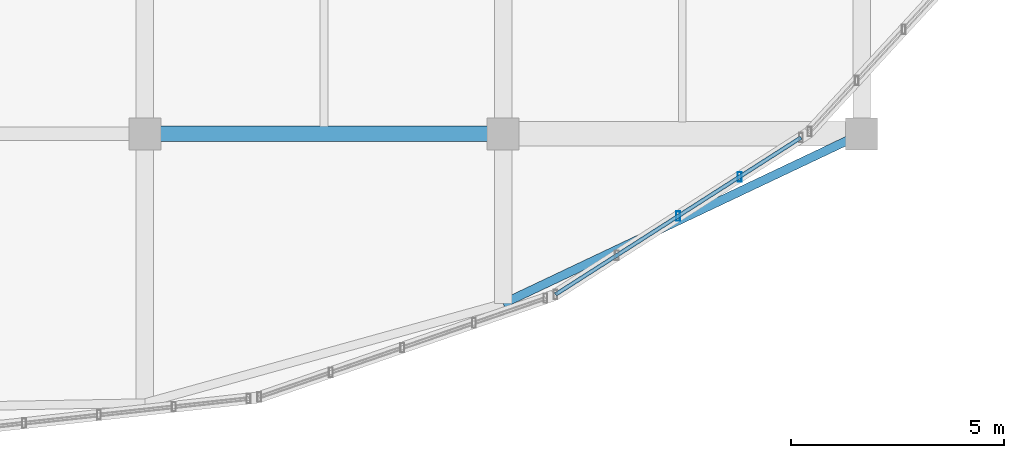
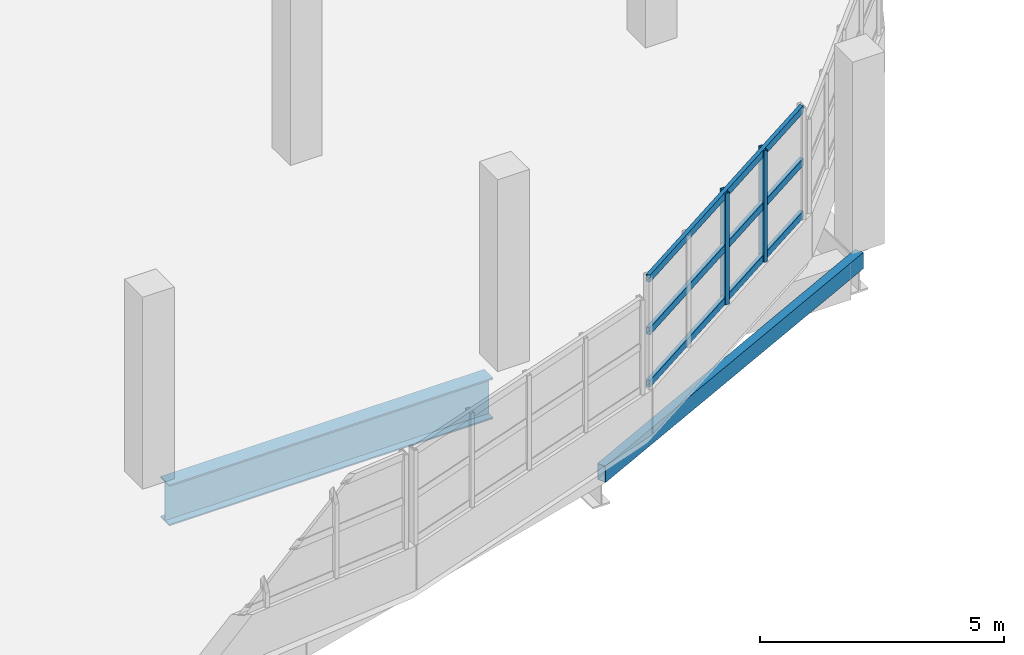
# One storey, part 18 of 77: 5 members, 2 beams, 1 element without a shape of its own.
"""IFC4 building model written with IfcOpenShell, lengths in metres."""

from ifc_helpers import new_model, si_unit, direction, frame, origin, origin_2d, place, context, subcontext, project, spatial, hollow_rectangle, i_section, extrude, material, material_profile, profile_set, type_object, element, aggregate, save


model = new_model("IFC4")

# Units and contexts
model_context = context("Model", 3, precision=1e-05, world=origin(), true_north=direction((0.0, 1.0)))
body_context = subcontext(model_context, "Body", "Model", "MODEL_VIEW")
ifc_project = project(units=[si_unit("LENGTHUNIT", "METRE"), si_unit("AREAUNIT", "SQUARE_METRE"), si_unit("VOLUMEUNIT", "CUBIC_METRE"), si_unit("PLANEANGLEUNIT", "RADIAN"), si_unit("MASSUNIT", "GRAM", prefix="KILO")], contexts=[model_context])

# Site, building, storey
site_placement = place(None, origin())
site = spatial("IfcSite", under=ifc_project, at=site_placement, CompositionType="ELEMENT")
building_placement = place(site_placement, origin())
building = spatial("IfcBuilding", under=site, at=building_placement, Name="Solvento Point Concert Hall", CompositionType="ELEMENT")
storey_placement = place(building_placement, frame((0.0, 0.0, 10.199951171875)))
storey = spatial("IfcBuildingStorey", under=building, at=storey_placement, Name="L02", CompositionType="ELEMENT", Elevation=10.199951171875)

# Beam
ifc_material_1 = material(Name="Structural Steel ASTM A992 Grade 50", Category="steel")
ifc_material_profile_1 = material_profile(ifc_material_1, i_section(OverallWidth=0.361083984375, OverallDepth=1.02587890625, WebThickness=0.01904296875, FlangeThickness=0.0361328125, at=origin_2d()), Name="W40X249")
ifc_profile_set_1 = profile_set([ifc_material_profile_1], Name="Structural Steel ASTM A992 Grade 50")
beam_type_1 = type_object("IfcBeamType", Name="Girder_W40X249", PredefinedType="USERDEFINED", material=ifc_profile_set_1)
beam_1_placement = place(storey_placement, frame((66.368896484375, 17.0, -0.786865234375), z_axis=(1.0, 0.0, 0.0), x_axis=(0.0, 1.0, 0.0)))
element("IfcBeam", 1, at=beam_1_placement, inside=storey, type_object=beam_type_1, Name="Primary girder B-29 L02", ObjectType="GIRDER", PredefinedType="USERDEFINED", context=body_context, shape_type="SweptSolid", body=[
    extrude(i_section(OverallWidth=0.361083984375, OverallDepth=1.02587890625, WebThickness=0.01904296875, FlangeThickness=0.0361328125, at=origin_2d()), origin(), (0.0, 0.0, 1.0), 7.662109375),
])

# Curtain wall, members
ifc_material_2 = material(Name="Anodized Bronze Aluminium", Category="aluminium")
curtain_wall_type = type_object("IfcCurtainWallType", Name="CurtainWall_RingRibbon_L01_02", PredefinedType="USERDEFINED", material=ifc_material_2)
curtain_wall_placement = place(storey_placement, origin())
curtain_wall = element("IfcCurtainWall", 2, at=curtain_wall_placement, inside=storey, type_object=curtain_wall_type, Name="Unitised curtain wall CW-59 UCW-L02-183", ObjectType="UNITISED CURTAIN WALL", PredefinedType="USERDEFINED")
ifc_material_3 = material(Name="Anodized Bronze Aluminium", Category="aluminium")
ifc_material_profile_2 = material_profile(ifc_material_3, hollow_rectangle(XDim=0.090087890625, YDim=0.219970703125, WallThickness=0.00439453125, at=origin_2d()), Name="CW-MUL-90X220")
ifc_profile_set_2 = profile_set([ifc_material_profile_2], Name="Anodized Bronze Aluminium")
member_type_1 = type_object("IfcMemberType", Name="Mullion_90x220", PredefinedType="MULLION", material=ifc_profile_set_2)
member_1_placement = place(storey_placement, frame((79.94091796875, 15.9912109375, 1.1201171875), z_axis=(0.0, 0.0, 1.0), x_axis=(1.0, 0.0, 0.0)))
member_1 = element("IfcMember", 3, at=member_1_placement, type_object=member_type_1, Name="Curtain wall mullion ML-02", PredefinedType="MULLION", context=body_context, shape_type="SweptSolid", body=[
    extrude(hollow_rectangle(XDim=0.090087890625, YDim=0.219970703125, WallThickness=0.00439453125, at=origin_2d()), origin(), (0.0, 0.0, 1.0), 2.7958984375),
])
member_2_placement = place(storey_placement, frame((78.502197265625, 15.0712890625, 1.1201171875), z_axis=(0.0, 0.0, 1.0), x_axis=(1.0, 0.0, 0.0)))
member_2 = element("IfcMember", 4, at=member_2_placement, type_object=member_type_1, Name="Curtain wall mullion ML-02", PredefinedType="MULLION", context=body_context, shape_type="SweptSolid", body=[
    extrude(hollow_rectangle(XDim=0.090087890625, YDim=0.219970703125, WallThickness=0.00439453125, at=origin_2d()), origin(), (0.0, 0.0, 1.0), 2.7958984375),
])

# Beam
ifc_material_4 = material(Name="Structural Steel ASTM A500 Grade C", Category="steel")
ifc_material_profile_3 = material_profile(ifc_material_4, hollow_rectangle(XDim=0.203125, YDim=0.406494140625, WallThickness=0.01171875, at=origin_2d()), Name="HSS16X8X1/2")
ifc_profile_set_3 = profile_set([ifc_material_profile_3], Name="Structural Steel ASTM A500 Grade C")
beam_type_2 = type_object("IfcBeamType", Name="RingBeam_HSS16X8", PredefinedType="SPANDREL", material=ifc_profile_set_3)
beam_2_placement = place(storey_placement, frame((74.39990234375, 13.019287109375, -0.47705078125), z_axis=(0.903667234539, 0.428235366616, 0.0), x_axis=(-0.428235366616, 0.903667234539, 0.0)))
element("IfcBeam", 5, at=beam_2_placement, inside=storey, type_object=beam_type_2, Name="Elliptical perimeter ring beam RB-01 L02", PredefinedType="SPANDREL", context=body_context, shape_type="SweptSolid", body=[
    extrude(hollow_rectangle(XDim=0.203125, YDim=0.406494140625, WallThickness=0.01171875, at=origin_2d()), origin(), (0.0, 0.0, 1.0), 9.295654296875),
])

# Member
ifc_material_5 = material(Name="Anodized Bronze Aluminium", Category="aluminium")
ifc_material_profile_4 = material_profile(ifc_material_5, hollow_rectangle(XDim=0.090087890625, YDim=0.179931640625, WallThickness=0.00439453125, at=origin_2d()), Name="CW-TRN-90X180")
ifc_profile_set_4 = profile_set([ifc_material_profile_4], Name="Anodized Bronze Aluminium")
member_type_2 = type_object("IfcMemberType", Name="Transom_90x180", PredefinedType="USERDEFINED", material=ifc_profile_set_4)
member_3_placement = place(storey_placement, frame((81.37939453125, 16.910888671875, 1.199951171875), z_axis=(-0.84250113822, -0.5386945629, 0.0), x_axis=(0.5386945629, -0.84250113822, 0.0)))
member_3 = element("IfcMember", 6, at=member_3_placement, type_object=member_type_2, Name="Curtain wall transom TR-02", ObjectType="TRANSOM", PredefinedType="USERDEFINED", context=body_context, shape_type="SweptSolid", body=[
    extrude(hollow_rectangle(XDim=0.090087890625, YDim=0.179931640625, WallThickness=0.00439453125, at=origin_2d()), origin(), (0.0, 0.0, 1.0), 6.829833984375),
])

member_4_placement = place(storey_placement, frame((81.37939453125, 16.910888671875, 2.51806640625), z_axis=(-0.84250113822, -0.5386945629, 0.0), x_axis=(0.5386945629, -0.84250113822, 0.0)))
member_4 = element("IfcMember", 7, at=member_4_placement, type_object=member_type_2, Name="Curtain wall transom TR-02", ObjectType="TRANSOM", PredefinedType="USERDEFINED", context=body_context, shape_type="SweptSolid", body=[
    extrude(hollow_rectangle(XDim=0.090087890625, YDim=0.179931640625, WallThickness=0.00439453125, at=origin_2d()), origin(), (0.0, 0.0, 1.0), 6.829833984375),
])

member_5_placement = place(storey_placement, frame((81.37939453125, 16.910888671875, 3.8359375), z_axis=(-0.84250113822, -0.5386945629, 0.0), x_axis=(0.5386945629, -0.84250113822, 0.0)))
member_5 = element("IfcMember", 8, at=member_5_placement, type_object=member_type_2, Name="Curtain wall transom TR-02", ObjectType="TRANSOM", PredefinedType="USERDEFINED", context=body_context, shape_type="SweptSolid", body=[
    extrude(hollow_rectangle(XDim=0.090087890625, YDim=0.179931640625, WallThickness=0.00439453125, at=origin_2d()), origin(), (0.0, 0.0, 1.0), 6.829833984375),
])

aggregate(curtain_wall, [member_1, member_2, member_3, member_4, member_5])

save(model, "model.ifc")
